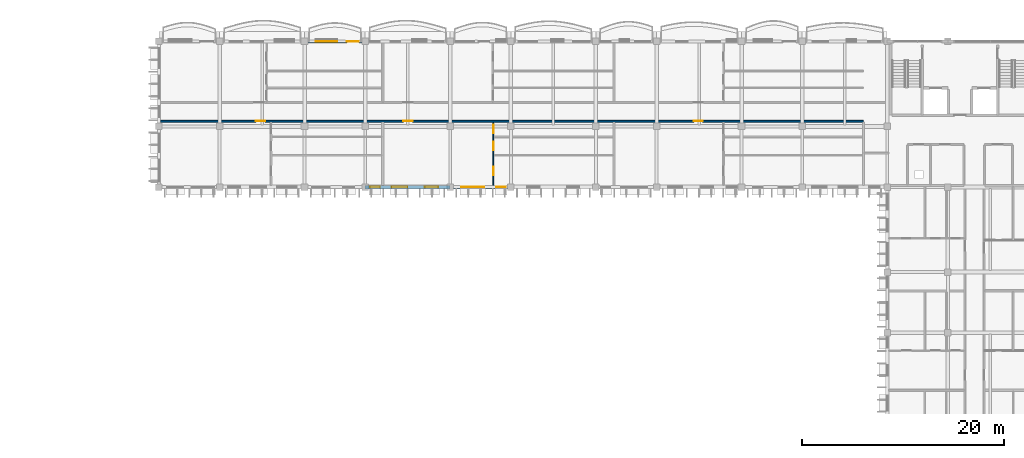
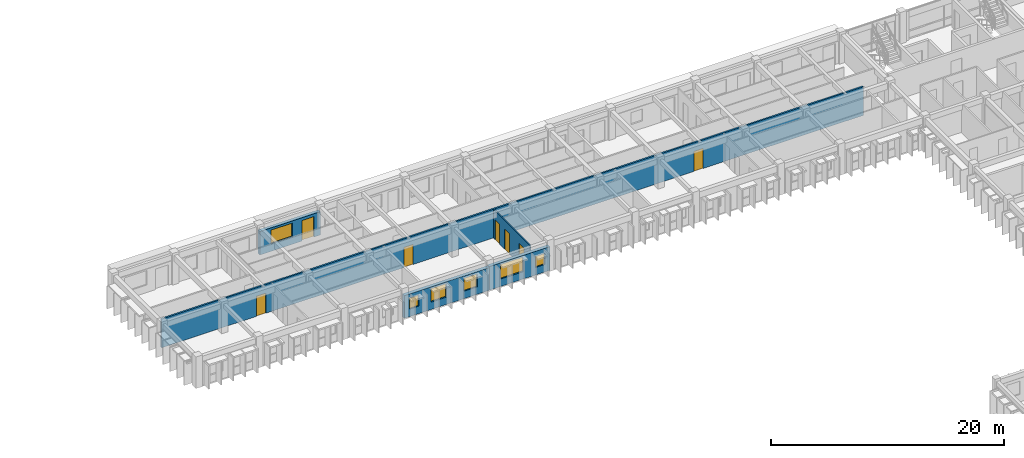
# One storey, part 28 of 70: 7 doors, 6 windows, 5 walls, 13 openings.
"""IFC4 building model written with IfcOpenShell, lengths in metres."""

from ifc_helpers import new_model, si_unit, direction, frame, frame_2d, origin, place, context, subcontext, project, spatial, rectangle, extrude, material, layer, layer_set, type_object, element, fill, save


model = new_model("IFC4")

# Units and contexts
model_context = context("Model", 3, precision=1e-05, world=origin(), true_north=direction((0.0, 1.0)))
body_context = subcontext(model_context, "Body", "Model", "MODEL_VIEW")
ifc_project = project(units=[si_unit("LENGTHUNIT", "METRE"), si_unit("AREAUNIT", "SQUARE_METRE"), si_unit("VOLUMEUNIT", "CUBIC_METRE"), si_unit("PLANEANGLEUNIT", "RADIAN"), si_unit("MASSUNIT", "GRAM", prefix="KILO"), si_unit("THERMODYNAMICTEMPERATUREUNIT", "KELVIN")], contexts=[model_context])

# Site, building, storey
site_placement = place(None, origin())
site = spatial("IfcSite", under=ifc_project, at=site_placement, CompositionType="ELEMENT")
building_placement = place(site_placement, origin())
building = spatial("IfcBuilding", under=site, at=building_placement, Name="Thalorik Housing Commons", CompositionType="ELEMENT")
storey_placement = place(building_placement, frame((0.0, 0.0, 14.699951171875)))
storey = spatial("IfcBuildingStorey", under=building, at=storey_placement, Name="L04", CompositionType="ELEMENT", Elevation=14.699951171875)

# Wall, openings, doors
ifc_material_1 = material(Name="Masonry fire-rated corridor wall", Category="masonry")
ifc_layer_1 = layer(ifc_material_1, 0.1650390625, Name="Masonry fire-rated corridor wall", Category="masonry")
ifc_layer_set_1 = layer_set([ifc_layer_1], Name="Masonry fire-rated corridor wall")
wall_type_1 = type_object("IfcWallType", Name="ARC-WAL-CORR-165", PredefinedType="PARTITIONING", material=ifc_layer_set_1)
wall_1_placement = place(storey_placement, frame((80.569580078125, 115.719970703125, 0.0), z_axis=(0.0, 0.0, 1.0), x_axis=(1.0, 0.0, 0.0)))
wall_1 = element("IfcWall", 1, at=wall_1_placement, inside=storey, type_object=wall_type_1, Name="L04 Block B N Corridor Wall 1", PredefinedType="PARTITIONING", context=body_context, shape_type="SweptSolid", body=[
    extrude(rectangle(XDim=69.48046875, YDim=0.1650390625, at=frame_2d((34.740234375, 0.0))), origin(), (0.0, 0.0, 1.0), 3.0),
])
opening_1_placement = place(wall_1_placement, frame((9.421142578125, 0.0, 0.0)))
opening_1 = element("IfcOpeningElement", 2, at=opening_1_placement, cuts=wall_1, Name="Opening ID-1141", PredefinedType="OPENING", context=body_context, shape_type="SweptSolid", body=[
    extrude(rectangle(XDim=0.919921875, YDim=2.10009765625, at=frame_2d((0.4599609375, 1.050048828125))), frame((0.0, 0.092529296875, 0.0), z_axis=(0.0, -1.0, 0.0), x_axis=(1.0, 0.0, 0.0)), (0.0, 0.0, 1.0), 0.18505859375),
])
opening_2_placement = place(wall_1_placement, frame((23.99609375, 0.0, 0.0)))
opening_2 = element("IfcOpeningElement", 3, at=opening_2_placement, cuts=wall_1, Name="Opening ID-1142", PredefinedType="OPENING", context=body_context, shape_type="SweptSolid", body=[
    extrude(rectangle(XDim=0.919921875, YDim=2.10009765625, at=frame_2d((0.4599609375, 1.050048828125))), frame((0.0, 0.092529296875, 0.0), z_axis=(0.0, -1.0, 0.0), x_axis=(1.0, 0.0, 0.0)), (0.0, 0.0, 1.0), 0.18505859375),
])
opening_3_placement = place(wall_1_placement, frame((52.689697265625, 0.0, 0.0)))
opening_3 = element("IfcOpeningElement", 4, at=opening_3_placement, cuts=wall_1, Name="Opening ID-1143", PredefinedType="OPENING", context=body_context, shape_type="SweptSolid", body=[
    extrude(rectangle(XDim=0.919921875, YDim=2.10009765625, at=frame_2d((0.4599609375, 1.050048828125))), frame((0.0, 0.092529296875, 0.0), z_axis=(0.0, -1.0, 0.0), x_axis=(1.0, 0.0, 0.0)), (0.0, 0.0, 1.0), 0.18505859375),
])
ifc_material_2 = material(Name="Solid core hardwood timber", Category="wood")
door_type_1 = type_object("IfcDoorType", Name="ARC-DR-FD30-920", OperationType="NOTDEFINED", PredefinedType="DOOR", material=ifc_material_2)
door_1_placement = place(opening_1_placement, origin())
door_1 = element("IfcDoor", 5, at=door_1_placement, inside=storey, type_object=door_type_1, Name="L04 Flat BN-1A Entrance Door", OperationType="SINGLE_SWING_RIGHT", OverallHeight=2.10009765625, OverallWidth=0.919921875, PredefinedType="DOOR", context=body_context, shape_type="SweptSolid", body=[
    extrude(rectangle(XDim=0.919921875, YDim=2.10009765625, at=frame_2d((0.4599609375, 1.050048828125))), frame((0.0, 0.02490234375, 0.0), z_axis=(0.0, -1.0, 0.0), x_axis=(1.0, 0.0, 0.0)), (0.0, 0.0, 1.0), 0.050048828125),
])
fill(opening_1, door_1)
door_2_placement = place(opening_2_placement, origin())
door_2 = element("IfcDoor", 6, at=door_2_placement, inside=storey, type_object=door_type_1, Name="L04 Flat BN-2A Entrance Door", OperationType="SINGLE_SWING_LEFT", OverallHeight=2.10009765625, OverallWidth=0.919921875, PredefinedType="DOOR", context=body_context, shape_type="SweptSolid", body=[
    extrude(rectangle(XDim=0.919921875, YDim=2.10009765625, at=frame_2d((0.4599609375, 1.050048828125))), frame((0.0, 0.02490234375, 0.0), z_axis=(0.0, -1.0, 0.0), x_axis=(1.0, 0.0, 0.0)), (0.0, 0.0, 1.0), 0.050048828125),
])
fill(opening_2, door_2)
door_3_placement = place(opening_3_placement, origin())
door_3 = element("IfcDoor", 7, at=door_3_placement, inside=storey, type_object=door_type_1, Name="L04 Flat BN-3A Entrance Door", OperationType="SINGLE_SWING_RIGHT", OverallHeight=2.10009765625, OverallWidth=0.919921875, PredefinedType="DOOR", context=body_context, shape_type="SweptSolid", body=[
    extrude(rectangle(XDim=0.919921875, YDim=2.10009765625, at=frame_2d((0.4599609375, 1.050048828125))), frame((0.0, 0.02490234375, 0.0), z_axis=(0.0, -1.0, 0.0), x_axis=(1.0, 0.0, 0.0)), (0.0, 0.0, 1.0), 0.050048828125),
])
fill(opening_3, door_3)

# Wall, openings, door, window
ifc_material_3 = material(Name="White precast concrete C40/50", Category="concrete")
ifc_layer_2 = layer(ifc_material_3, 0.3349609375, Name="White precast concrete C40/50", Category="concrete")
ifc_layer_set_2 = layer_set([ifc_layer_2], Name="White precast concrete C40/50")
wall_type_2 = type_object("IfcWallType", Name="ARC-WAL-EXT-335", PredefinedType="STANDARD", material=ifc_layer_set_2)
wall_2_placement = place(storey_placement, frame((100.800048828125, 123.60009765625, 0.0), z_axis=(0.0, 0.0, 1.0), x_axis=(-1.0, 0.0, 0.0)))
wall_2 = element("IfcWall", 8, at=wall_2_placement, inside=storey, type_object=wall_type_2, Name="L04 Exterior Wall WAL-EXT-L04-B-0533", PredefinedType="STANDARD", context=body_context, shape_type="SweptSolid", body=[
    extrude(rectangle(XDim=6.0, YDim=0.3349609375, at=frame_2d((3.0, 0.0))), origin(), (0.0, 0.0, 1.0), 2.445068359375),
])
opening_4_placement = place(wall_2_placement, frame((0.6201171875, 0.0, 0.0)))
opening_4 = element("IfcOpeningElement", 9, at=opening_4_placement, cuts=wall_2, Name="Opening ED-0167", PredefinedType="OPENING", context=body_context, shape_type="SweptSolid", body=[
    extrude(rectangle(XDim=1.199951171875, YDim=2.14990234375, at=frame_2d((0.60009765625, 1.074951171875))), frame((0.0, 0.177490234375, 0.0), z_axis=(0.0, -1.0, 0.0), x_axis=(1.0, 0.0, 0.0)), (0.0, 0.0, 1.0), 0.35498046875),
])
opening_5_placement = place(wall_2_placement, frame((2.780029296875, 0.0, 0.780029296875)))
opening_5 = element("IfcOpeningElement", 10, at=opening_5_placement, cuts=wall_2, Name="Opening W-64", PredefinedType="OPENING", context=body_context, shape_type="SweptSolid", body=[
    extrude(rectangle(XDim=2.1201171875, YDim=1.43994140625, at=frame_2d((1.06005859375, 0.719970703125))), frame((0.0, 0.177490234375, 0.0), z_axis=(0.0, -1.0, 0.0), x_axis=(1.0, 0.0, 0.0)), (0.0, 0.0, 1.0), 0.35498046875),
])
ifc_material_4 = material(Name="Anodised aluminium and laminated safety glass", Category="aluminium")
door_type_2 = type_object("IfcDoorType", Name="ARC-DR-BAL-1200", OperationType="NOTDEFINED", PredefinedType="DOOR", material=ifc_material_4)
door_4_placement = place(opening_4_placement, frame((1.199951171875, 0.0, 0.0), z_axis=(0.0, 0.0, 1.0), x_axis=(-1.0, 0.0, 0.0)))
door_4 = element("IfcDoor", 11, at=door_4_placement, inside=storey, type_object=door_type_2, Name="L04 Block B Balcony Glazed Door", OperationType="SINGLE_SWING_RIGHT", OverallHeight=2.14990234375, OverallWidth=1.199951171875, PredefinedType="DOOR", context=body_context, shape_type="SweptSolid", body=[
    extrude(rectangle(XDim=1.199951171875, YDim=2.14990234375, at=frame_2d((0.60009765625, 1.074951171875))), frame((0.0, 0.02490234375, 0.0), z_axis=(0.0, -1.0, 0.0), x_axis=(1.0, 0.0, 0.0)), (0.0, 0.0, 1.0), 0.050048828125),
])
fill(opening_4, door_4)
ifc_material_5 = material(Name="Anodised aluminium and solar-control low-E glass", Category="aluminium")
window_type_1 = type_object("IfcWindowType", Name="ARC-WIN-64", PartitioningType="DOUBLE_PANEL_VERTICAL", PredefinedType="WINDOW", material=ifc_material_5)
window_1_placement = place(opening_5_placement, origin())
window_1 = element("IfcWindow", 12, at=window_1_placement, inside=storey, type_object=window_type_1, Name="L04 Facade Window 958", OverallHeight=1.43994140625, OverallWidth=2.1201171875, PartitioningType="DOUBLE_PANEL_VERTICAL", PredefinedType="WINDOW", context=body_context, shape_type="SweptSolid", body=[
    extrude(rectangle(XDim=2.1201171875, YDim=1.43994140625, at=frame_2d((1.06005859375, 0.719970703125))), frame((0.0, 0.030029296875, 0.0), z_axis=(0.0, -1.0, 0.0), x_axis=(1.0, 0.0, 0.0)), (0.0, 0.0, 1.0), 0.06005859375),
])
fill(opening_5, window_1)

# Wall, openings, windows
wall_3_placement = place(storey_placement, frame((100.800048828125, 109.199951171875, 0.0), z_axis=(0.0, 0.0, 1.0), x_axis=(1.0, 0.0, 0.0)))
wall_3 = element("IfcWall", 13, at=wall_3_placement, inside=storey, type_object=wall_type_2, Name="L04 Exterior Wall WAL-EXT-L04-B-0541", PredefinedType="STANDARD", context=body_context, shape_type="SweptSolid", body=[
    extrude(rectangle(XDim=8.39990234375, YDim=0.3349609375, at=frame_2d((4.199951171875, 0.0))), origin(), (0.0, 0.0, 1.0), 2.375),
])
opening_6_placement = place(wall_3_placement, frame((0.489990234375, 0.0, 0.780029296875)))
opening_6 = element("IfcOpeningElement", 14, at=opening_6_placement, cuts=wall_3, Name="Opening W-43", PredefinedType="OPENING", context=body_context, shape_type="SweptSolid", body=[
    extrude(rectangle(XDim=0.949951171875, YDim=1.14990234375, at=frame_2d((0.47509765625, 0.574951171875))), frame((0.0, 0.177490234375, 0.0), z_axis=(0.0, -1.0, 0.0), x_axis=(1.0, 0.0, 0.0)), (0.0, 0.0, 1.0), 0.35498046875),
])
opening_7_placement = place(wall_3_placement, frame((2.617431640625, 0.0, 0.780029296875)))
opening_7 = element("IfcOpeningElement", 15, at=opening_7_placement, cuts=wall_3, Name="Opening W-12", PredefinedType="OPENING", context=body_context, shape_type="SweptSolid", body=[
    extrude(rectangle(XDim=1.550048828125, YDim=1.39990234375, at=frame_2d((0.77490234375, 0.699951171875))), frame((0.0, 0.177490234375, 0.0), z_axis=(0.0, -1.0, 0.0), x_axis=(1.0, 0.0, 0.0)), (0.0, 0.0, 1.0), 0.35498046875),
])
opening_8_placement = place(wall_3_placement, frame((5.8974609375, 0.0, 0.780029296875)))
opening_8 = element("IfcOpeningElement", 16, at=opening_8_placement, cuts=wall_3, Name="Opening W-48", PredefinedType="OPENING", context=body_context, shape_type="SweptSolid", body=[
    extrude(rectangle(XDim=1.320068359375, YDim=1.35009765625, at=frame_2d((0.66015625, 0.675048828125))), frame((0.0, 0.177490234375, 0.0), z_axis=(0.0, -1.0, 0.0), x_axis=(1.0, 0.0, 0.0)), (0.0, 0.0, 1.0), 0.35498046875),
])
window_type_2 = type_object("IfcWindowType", Name="ARC-WIN-12", PartitioningType="SINGLE_PANEL", PredefinedType="WINDOW", material=ifc_material_5)
window_2_placement = place(opening_7_placement, origin())
window_2 = element("IfcWindow", 17, at=window_2_placement, inside=storey, type_object=window_type_2, Name="L04 Facade Window 975", OverallHeight=1.39990234375, OverallWidth=1.550048828125, PartitioningType="SINGLE_PANEL", PredefinedType="WINDOW", context=body_context, shape_type="SweptSolid", body=[
    extrude(rectangle(XDim=1.550048828125, YDim=1.39990234375, at=frame_2d((0.77490234375, 0.699951171875))), frame((0.0, 0.030029296875, 0.0), z_axis=(0.0, -1.0, 0.0), x_axis=(1.0, 0.0, 0.0)), (0.0, 0.0, 1.0), 0.06005859375),
])
fill(opening_7, window_2)
window_type_3 = type_object("IfcWindowType", Name="ARC-WIN-43", PartitioningType="SINGLE_PANEL", PredefinedType="WINDOW", material=ifc_material_5)
window_3_placement = place(opening_6_placement, origin())
window_3 = element("IfcWindow", 18, at=window_3_placement, inside=storey, type_object=window_type_3, Name="L04 Facade Window 974", OverallHeight=1.14990234375, OverallWidth=0.949951171875, PartitioningType="SINGLE_PANEL", PredefinedType="WINDOW", context=body_context, shape_type="SweptSolid", body=[
    extrude(rectangle(XDim=0.949951171875, YDim=1.14990234375, at=frame_2d((0.47509765625, 0.574951171875))), frame((0.0, 0.030029296875, 0.0), z_axis=(0.0, -1.0, 0.0), x_axis=(1.0, 0.0, 0.0)), (0.0, 0.0, 1.0), 0.06005859375),
])
fill(opening_6, window_3)
window_type_4 = type_object("IfcWindowType", Name="ARC-WIN-48", PartitioningType="SINGLE_PANEL", PredefinedType="WINDOW", material=ifc_material_5)
window_4_placement = place(opening_8_placement, origin())
window_4 = element("IfcWindow", 19, at=window_4_placement, inside=storey, type_object=window_type_4, Name="L04 Facade Window 976", OverallHeight=1.35009765625, OverallWidth=1.320068359375, PartitioningType="SINGLE_PANEL", PredefinedType="WINDOW", context=body_context, shape_type="SweptSolid", body=[
    extrude(rectangle(XDim=1.320068359375, YDim=1.35009765625, at=frame_2d((0.66015625, 0.675048828125))), frame((0.0, 0.030029296875, 0.0), z_axis=(0.0, -1.0, 0.0), x_axis=(1.0, 0.0, 0.0)), (0.0, 0.0, 1.0), 0.06005859375),
])
fill(opening_8, window_4)

wall_4_placement = place(storey_placement, frame((109.199951171875, 109.199951171875, 0.0), z_axis=(0.0, 0.0, 1.0), x_axis=(1.0, 0.0, 0.0)))
wall_4 = element("IfcWall", 20, at=wall_4_placement, inside=storey, type_object=wall_type_2, Name="L04 Exterior Wall WAL-EXT-L04-B-0542", PredefinedType="STANDARD", context=body_context, shape_type="SweptSolid", body=[
    extrude(rectangle(XDim=6.0, YDim=0.3349609375, at=frame_2d((3.0, 0.0))), origin(), (0.0, 0.0, 1.0), 2.47509765625),
])
opening_9_placement = place(wall_4_placement, frame((1.110107421875, 0.0, 0.780029296875)))
opening_9 = element("IfcOpeningElement", 21, at=opening_9_placement, cuts=wall_4, Name="Opening W-66", PredefinedType="OPENING", context=body_context, shape_type="SweptSolid", body=[
    extrude(rectangle(XDim=2.239990234375, YDim=1.52001953125, at=frame_2d((1.1201171875, 0.760009765625))), frame((0.0, 0.177490234375, 0.0), z_axis=(0.0, -1.0, 0.0), x_axis=(1.0, 0.0, 0.0)), (0.0, 0.0, 1.0), 0.35498046875),
])
opening_10_placement = place(wall_4_placement, frame((4.56494140625, 0.0, 0.780029296875)))
opening_10 = element("IfcOpeningElement", 22, at=opening_10_placement, cuts=wall_4, Name="Opening W-43", PredefinedType="OPENING", context=body_context, shape_type="SweptSolid", body=[
    extrude(rectangle(XDim=0.949951171875, YDim=1.14990234375, at=frame_2d((0.47509765625, 0.574951171875))), frame((0.0, 0.177490234375, 0.0), z_axis=(0.0, -1.0, 0.0), x_axis=(1.0, 0.0, 0.0)), (0.0, 0.0, 1.0), 0.35498046875),
])
window_5_placement = place(opening_10_placement, origin())
window_5 = element("IfcWindow", 23, at=window_5_placement, inside=storey, type_object=window_type_3, Name="L04 Facade Window 978", OverallHeight=1.14990234375, OverallWidth=0.949951171875, PartitioningType="SINGLE_PANEL", PredefinedType="WINDOW", context=body_context, shape_type="SweptSolid", body=[
    extrude(rectangle(XDim=0.949951171875, YDim=1.14990234375, at=frame_2d((0.47509765625, 0.574951171875))), frame((0.0, 0.030029296875, 0.0), z_axis=(0.0, -1.0, 0.0), x_axis=(1.0, 0.0, 0.0)), (0.0, 0.0, 1.0), 0.06005859375),
])
fill(opening_10, window_5)
window_type_5 = type_object("IfcWindowType", Name="ARC-WIN-66", PartitioningType="DOUBLE_PANEL_VERTICAL", PredefinedType="WINDOW", material=ifc_material_5)
window_6_placement = place(opening_9_placement, origin())
window_6 = element("IfcWindow", 24, at=window_6_placement, inside=storey, type_object=window_type_5, Name="L04 Facade Window 977", OverallHeight=1.52001953125, OverallWidth=2.239990234375, PartitioningType="DOUBLE_PANEL_VERTICAL", PredefinedType="WINDOW", context=body_context, shape_type="SweptSolid", body=[
    extrude(rectangle(XDim=2.239990234375, YDim=1.52001953125, at=frame_2d((1.1201171875, 0.760009765625))), frame((0.0, 0.030029296875, 0.0), z_axis=(0.0, -1.0, 0.0), x_axis=(1.0, 0.0, 0.0)), (0.0, 0.0, 1.0), 0.06005859375),
])
fill(opening_9, window_6)

# Wall, openings, doors
ifc_material_6 = material(Name="Gypsum moisture-resistant partition", Category="masonry")
ifc_layer_3 = layer(ifc_material_6, 0.114990234375, Name="Gypsum moisture-resistant partition", Category="masonry")
ifc_layer_set_3 = layer_set([ifc_layer_3], Name="Gypsum moisture-resistant partition")
wall_type_3 = type_object("IfcWallType", Name="ARC-WAL-PART-115", PredefinedType="PARTITIONING", material=ifc_layer_set_3)
wall_5_placement = place(storey_placement, frame((113.469970703125, 109.369384765625, 0.0), z_axis=(0.0, 0.0, 1.0), x_axis=(0.0, 1.0, 0.0)))
wall_5 = element("IfcWall", 25, at=wall_5_placement, inside=storey, type_object=wall_type_3, Name="L04 Unit 2 Spine Partition", PredefinedType="PARTITIONING", context=body_context, shape_type="SweptSolid", body=[
    extrude(rectangle(XDim=6.26611328125, YDim=0.114990234375, at=frame_2d((3.133056640625, 0.0))), origin(), (0.0, 0.0, 1.0), 3.0),
])
opening_11_placement = place(wall_5_placement, frame((1.015869140625, 0.0, 0.0)))
opening_11 = element("IfcOpeningElement", 26, at=opening_11_placement, cuts=wall_5, Name="Opening ID-1129", PredefinedType="OPENING", context=body_context, shape_type="SweptSolid", body=[
    extrude(rectangle(XDim=0.85009765625, YDim=2.10009765625, at=frame_2d((0.425048828125, 1.050048828125))), frame((0.0, 0.0673828125, 0.0), z_axis=(0.0, -1.0, 0.0), x_axis=(1.0, 0.0, 0.0)), (0.0, 0.0, 1.0), 0.135009765625),
])
opening_12_placement = place(wall_5_placement, frame((3.470703125, 0.0, 0.0)))
opening_12 = element("IfcOpeningElement", 27, at=opening_12_placement, cuts=wall_5, Name="Opening ID-1130", PredefinedType="OPENING", context=body_context, shape_type="SweptSolid", body=[
    extrude(rectangle(XDim=0.85009765625, YDim=2.10009765625, at=frame_2d((0.425048828125, 1.050048828125))), frame((0.0, 0.0673828125, 0.0), z_axis=(0.0, -1.0, 0.0), x_axis=(1.0, 0.0, 0.0)), (0.0, 0.0, 1.0), 0.135009765625),
])
opening_13_placement = place(wall_5_placement, frame((5.17529296875, 0.0, 0.0)))
opening_13 = element("IfcOpeningElement", 28, at=opening_13_placement, cuts=wall_5, Name="Opening ID-1131", PredefinedType="OPENING", context=body_context, shape_type="SweptSolid", body=[
    extrude(rectangle(XDim=0.800048828125, YDim=2.10009765625, at=frame_2d((0.39990234375, 1.050048828125))), frame((0.0, 0.0673828125, 0.0), z_axis=(0.0, -1.0, 0.0), x_axis=(1.0, 0.0, 0.0)), (0.0, 0.0, 1.0), 0.135009765625),
])
ifc_material_7 = material(Name="Moisture-resistant timber", Category="wood")
door_type_3 = type_object("IfcDoorType", Name="ARC-DR-INT-800", OperationType="NOTDEFINED", PredefinedType="DOOR", material=ifc_material_7)
door_5_placement = place(opening_13_placement, origin())
door_5 = element("IfcDoor", 29, at=door_5_placement, inside=storey, type_object=door_type_3, Name="L04 Accessible Bathroom Door", OperationType="SINGLE_SWING_RIGHT", OverallHeight=2.10009765625, OverallWidth=0.800048828125, PredefinedType="DOOR", context=body_context, shape_type="SweptSolid", body=[
    extrude(rectangle(XDim=0.800048828125, YDim=2.10009765625, at=frame_2d((0.39990234375, 1.050048828125))), frame((0.0, 0.02490234375, 0.0), z_axis=(0.0, -1.0, 0.0), x_axis=(1.0, 0.0, 0.0)), (0.0, 0.0, 1.0), 0.050048828125),
])
fill(opening_13, door_5)
ifc_material_8 = material(Name="Engineered oak timber", Category="wood")
door_type_4 = type_object("IfcDoorType", Name="ARC-DR-INT-850", OperationType="NOTDEFINED", PredefinedType="DOOR", material=ifc_material_8)
door_6_placement = place(opening_11_placement, origin())
door_6 = element("IfcDoor", 30, at=door_6_placement, inside=storey, type_object=door_type_4, Name="L04 Double Bedroom Door", OperationType="SINGLE_SWING_RIGHT", OverallHeight=2.10009765625, OverallWidth=0.85009765625, PredefinedType="DOOR", context=body_context, shape_type="SweptSolid", body=[
    extrude(rectangle(XDim=0.85009765625, YDim=2.10009765625, at=frame_2d((0.425048828125, 1.050048828125))), frame((0.0, 0.02490234375, 0.0), z_axis=(0.0, -1.0, 0.0), x_axis=(1.0, 0.0, 0.0)), (0.0, 0.0, 1.0), 0.050048828125),
])
fill(opening_11, door_6)
door_7_placement = place(opening_12_placement, origin())
door_7 = element("IfcDoor", 31, at=door_7_placement, inside=storey, type_object=door_type_4, Name="L04 Eat-In Kitchen Door", OperationType="SINGLE_SWING_LEFT", OverallHeight=2.10009765625, OverallWidth=0.85009765625, PredefinedType="DOOR", context=body_context, shape_type="SweptSolid", body=[
    extrude(rectangle(XDim=0.85009765625, YDim=2.10009765625, at=frame_2d((0.425048828125, 1.050048828125))), frame((0.0, 0.02490234375, 0.0), z_axis=(0.0, -1.0, 0.0), x_axis=(1.0, 0.0, 0.0)), (0.0, 0.0, 1.0), 0.050048828125),
])
fill(opening_12, door_7)

save(model, "model.ifc")
